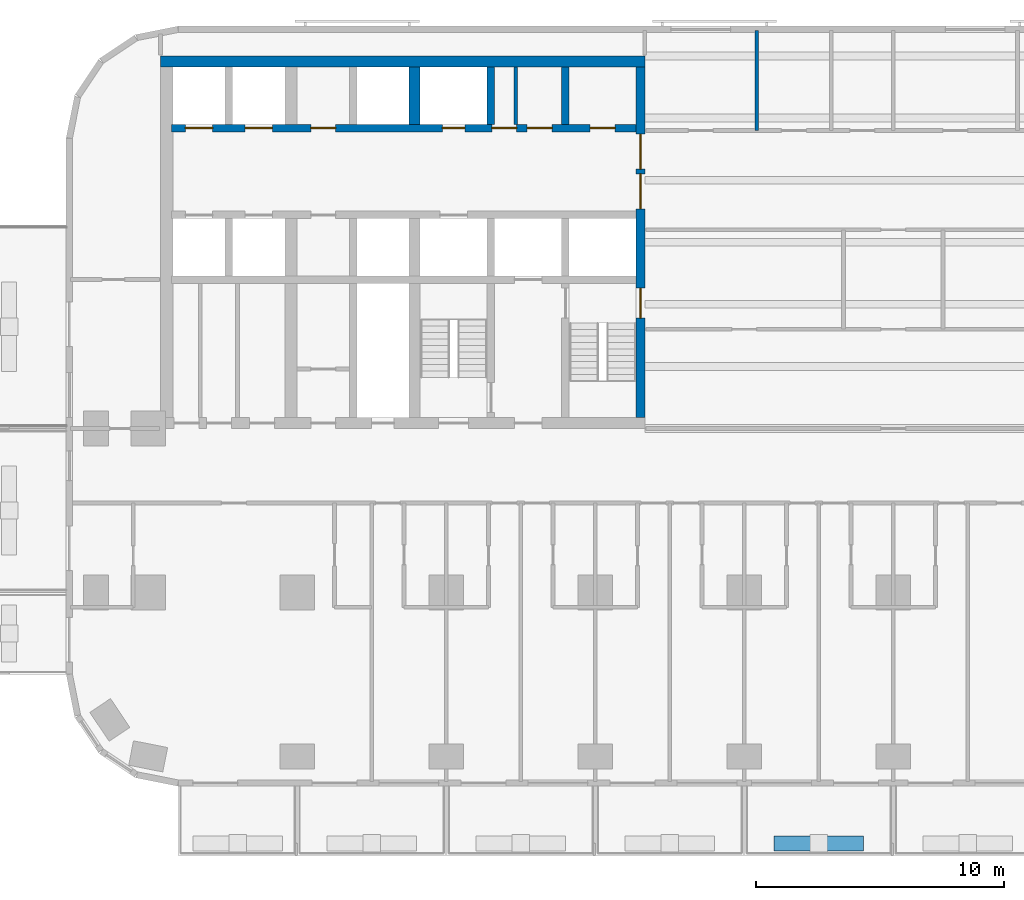
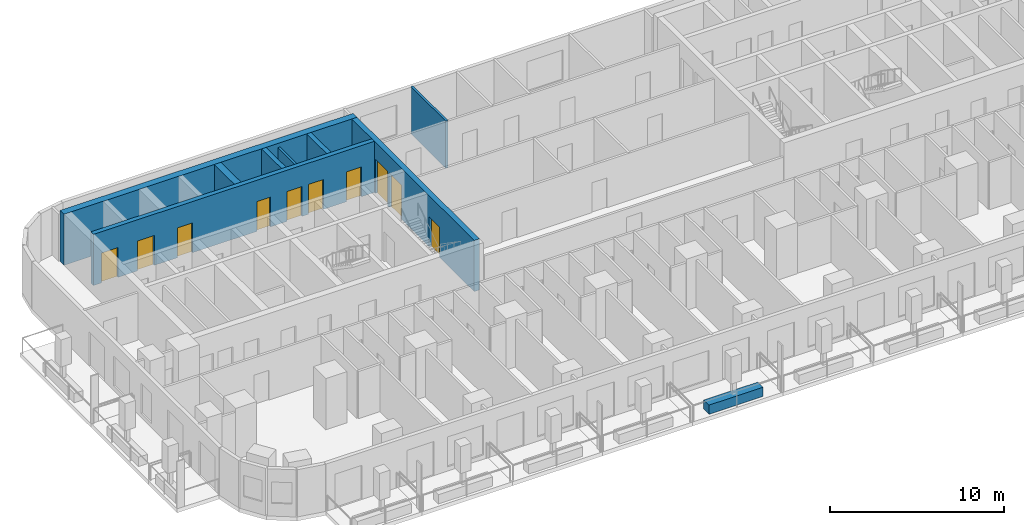
# One storey, part 4 of 15: 10 doors, 9 walls, 10 openings.
"""IFC4 building model written with IfcOpenShell, lengths in metres."""

from ifc_helpers import new_model, si_unit, direction, frame, frame_2d, origin, place, context, subcontext, project, spatial, rectangle, extrude, material, layer, layer_set, type_object, element, fill, save


model = new_model("IFC4")

# Units and contexts
model_context = context("Model", 3, precision=1e-05, world=origin(), true_north=direction((0.0, 1.0)))
body_context = subcontext(model_context, "Body", "Model", "MODEL_VIEW")
ifc_project = project(units=[si_unit("LENGTHUNIT", "METRE"), si_unit("AREAUNIT", "SQUARE_METRE"), si_unit("VOLUMEUNIT", "CUBIC_METRE"), si_unit("PLANEANGLEUNIT", "RADIAN"), si_unit("MASSUNIT", "GRAM", prefix="KILO")], contexts=[model_context])

# Site, building, storey
site_placement = place(None, origin())
site = spatial("IfcSite", under=ifc_project, at=site_placement, CompositionType="ELEMENT")
building_placement = place(site_placement, origin())
building = spatial("IfcBuilding", under=site, at=building_placement, Name="Torana Hotel and Residences", CompositionType="ELEMENT")
storey_placement = place(building_placement, frame((0.0, 0.0, 42.0)))
storey = spatial("IfcBuildingStorey", under=building, at=storey_placement, Name="L09", CompositionType="ELEMENT", Elevation=42.0)

# Wall, openings, doors
ifc_material_1 = material(Name="Concrete C80/95", Category="concrete")
ifc_layer_1 = layer(ifc_material_1, 0.300048828125)
ifc_layer_set_1 = layer_set([ifc_layer_1], Name="CORE WALL 300 C80/95")
wall_type_1 = type_object("IfcWallType", Name="CORE WALL 300 C80/95", PredefinedType="SHEAR", material=ifc_layer_set_1)
wall_1_placement = place(storey_placement, frame((-29.050048828125, -2.89990234375, 0.0), z_axis=(0.0, 0.0, 1.0), x_axis=(1.0, 0.0, 0.0)))
wall_1 = element("IfcWall", 1, at=wall_1_placement, inside=storey, type_object=wall_type_1, Name="Core wall W row-N", PredefinedType="SHEAR", context=body_context, shape_type="SweptSolid", body=[
    extrude(rectangle(XDim=18.699951171875, YDim=0.300048828125, at=frame_2d((9.35009765625, 0.0))), origin(), (0.0, 0.0, 1.0), 3.60009765625),
])
opening_1_placement = place(wall_1_placement, frame((2.949951171875, 0.0, 0.0)))
opening_1 = element("IfcOpeningElement", 2, at=opening_1_placement, cuts=wall_1, Name="Opening LD", PredefinedType="OPENING", context=body_context, shape_type="SweptSolid", body=[
    extrude(rectangle(XDim=1.10009765625, YDim=2.10009765625, at=frame_2d((0.550048828125, 1.050048828125))), frame((0.0, 0.159912109375, 0.0), z_axis=(0.0, -1.0, 0.0), x_axis=(1.0, 0.0, 0.0)), (0.0, 0.0, 1.0), 0.320068359375),
])
opening_2_placement = place(wall_1_placement, frame((0.550048828125, 0.0, 0.0)))
opening_2 = element("IfcOpeningElement", 3, at=opening_2_placement, cuts=wall_1, Name="Opening LD", PredefinedType="OPENING", context=body_context, shape_type="SweptSolid", body=[
    extrude(rectangle(XDim=1.10009765625, YDim=2.10009765625, at=frame_2d((0.550048828125, 1.050048828125))), frame((0.0, 0.159912109375, 0.0), z_axis=(0.0, -1.0, 0.0), x_axis=(1.0, 0.0, 0.0)), (0.0, 0.0, 1.0), 0.320068359375),
])
opening_3_placement = place(wall_1_placement, frame((10.89990234375, 0.0, 0.0)))
opening_3 = element("IfcOpeningElement", 4, at=opening_3_placement, cuts=wall_1, Name="Opening L09-11", PredefinedType="OPENING", context=body_context, shape_type="SweptSolid", body=[
    extrude(rectangle(XDim=0.89990234375, YDim=2.10009765625, at=frame_2d((0.449951171875, 1.050048828125))), frame((0.0, 0.159912109375, 0.0), z_axis=(0.0, -1.0, 0.0), x_axis=(1.0, 0.0, 0.0)), (0.0, 0.0, 1.0), 0.320068359375),
])
opening_4_placement = place(wall_1_placement, frame((16.85009765625, 0.0, 0.0)))
opening_4 = element("IfcOpeningElement", 5, at=opening_4_placement, cuts=wall_1, Name="Opening L09-12", PredefinedType="OPENING", context=body_context, shape_type="SweptSolid", body=[
    extrude(rectangle(XDim=1.0, YDim=2.10009765625, at=frame_2d((0.5, 1.050048828125))), frame((0.0, 0.159912109375, 0.0), z_axis=(0.0, -1.0, 0.0), x_axis=(1.0, 0.0, 0.0)), (0.0, 0.0, 1.0), 0.320068359375),
])
opening_5_placement = place(wall_1_placement, frame((14.3125, 0.0, 0.0)))
opening_5 = element("IfcOpeningElement", 6, at=opening_5_placement, cuts=wall_1, Name="Opening L09-13", PredefinedType="OPENING", context=body_context, shape_type="SweptSolid", body=[
    extrude(rectangle(XDim=1.0, YDim=2.10009765625, at=frame_2d((0.5, 1.050048828125))), frame((0.0, 0.159912109375, 0.0), z_axis=(0.0, -1.0, 0.0), x_axis=(1.0, 0.0, 0.0)), (0.0, 0.0, 1.0), 0.320068359375),
])
opening_6_placement = place(wall_1_placement, frame((12.887451171875, 0.0, 0.0)))
opening_6 = element("IfcOpeningElement", 7, at=opening_6_placement, cuts=wall_1, Name="Opening L09-14", PredefinedType="OPENING", context=body_context, shape_type="SweptSolid", body=[
    extrude(rectangle(XDim=1.0, YDim=2.10009765625, at=frame_2d((0.5, 1.050048828125))), frame((0.0, 0.159912109375, 0.0), z_axis=(0.0, -1.0, 0.0), x_axis=(1.0, 0.0, 0.0)), (0.0, 0.0, 1.0), 0.320068359375),
])
opening_7_placement = place(wall_1_placement, frame((5.60009765625, 0.0, 0.0)))
opening_7 = element("IfcOpeningElement", 8, at=opening_7_placement, cuts=wall_1, Name="Opening L09-15", PredefinedType="OPENING", context=body_context, shape_type="SweptSolid", body=[
    extrude(rectangle(XDim=1.0, YDim=2.10009765625, at=frame_2d((0.5, 1.050048828125))), frame((0.0, 0.159912109375, 0.0), z_axis=(0.0, -1.0, 0.0), x_axis=(1.0, 0.0, 0.0)), (0.0, 0.0, 1.0), 0.320068359375),
])
ifc_material_2 = material(Name="Steel S235", Category="steel")
door_type_1 = type_object("IfcDoorType", Name="CORE ROOM FIRE DOOR D14 1000x2100", OperationType="SINGLE_SWING_LEFT", PredefinedType="DOOR", material=ifc_material_2)
door_1_placement = place(opening_4_placement, origin())
door_1 = element("IfcDoor", 9, at=door_1_placement, inside=storey, type_object=door_type_1, Name="N0 door L09", OperationType="SINGLE_SWING_RIGHT", OverallHeight=2.10009765625, OverallWidth=1.0, PredefinedType="DOOR", context=body_context, shape_type="SweptSolid", body=[
    extrude(rectangle(XDim=1.0, YDim=2.10009765625, at=frame_2d((0.5, 1.050048828125))), frame((0.0, 0.02490234375, 0.0), z_axis=(0.0, -1.0, 0.0), x_axis=(1.0, 0.0, 0.0)), (0.0, 0.0, 1.0), 0.050048828125),
])
fill(opening_4, door_1)
door_2_placement = place(opening_5_placement, origin())
door_2 = element("IfcDoor", 10, at=door_2_placement, inside=storey, type_object=door_type_1, Name="N1A door L09", OperationType="SINGLE_SWING_RIGHT", OverallHeight=2.10009765625, OverallWidth=1.0, PredefinedType="DOOR", context=body_context, shape_type="SweptSolid", body=[
    extrude(rectangle(XDim=1.0, YDim=2.10009765625, at=frame_2d((0.5, 1.050048828125))), frame((0.0, 0.02490234375, 0.0), z_axis=(0.0, -1.0, 0.0), x_axis=(1.0, 0.0, 0.0)), (0.0, 0.0, 1.0), 0.050048828125),
])
fill(opening_5, door_2)
door_3_placement = place(opening_6_placement, origin())
door_3 = element("IfcDoor", 11, at=door_3_placement, inside=storey, type_object=door_type_1, Name="N1B door L09", OperationType="SINGLE_SWING_RIGHT", OverallHeight=2.10009765625, OverallWidth=1.0, PredefinedType="DOOR", context=body_context, shape_type="SweptSolid", body=[
    extrude(rectangle(XDim=1.0, YDim=2.10009765625, at=frame_2d((0.5, 1.050048828125))), frame((0.0, 0.02490234375, 0.0), z_axis=(0.0, -1.0, 0.0), x_axis=(1.0, 0.0, 0.0)), (0.0, 0.0, 1.0), 0.050048828125),
])
fill(opening_6, door_3)
door_4_placement = place(opening_7_placement, origin())
door_4 = element("IfcDoor", 12, at=door_4_placement, inside=storey, type_object=door_type_1, Name="Free-M1 door L09", OperationType="SINGLE_SWING_RIGHT", OverallHeight=2.10009765625, OverallWidth=1.0, PredefinedType="DOOR", context=body_context, shape_type="SweptSolid", body=[
    extrude(rectangle(XDim=1.0, YDim=2.10009765625, at=frame_2d((0.5, 1.050048828125))), frame((0.0, 0.02490234375, 0.0), z_axis=(0.0, -1.0, 0.0), x_axis=(1.0, 0.0, 0.0)), (0.0, 0.0, 1.0), 0.050048828125),
])
fill(opening_7, door_4)
ifc_material_3 = material(Name="Stainless steel 316", Category="steel")
door_type_2 = type_object("IfcDoorType", Name="LIFT LANDING DOOR LD 1100x2100", OperationType="DOUBLE_DOOR_SLIDING", PredefinedType="USERDEFINED", material=ifc_material_3)
door_5_placement = place(opening_1_placement, origin())
door_5 = element("IfcDoor", 13, at=door_5_placement, inside=storey, type_object=door_type_2, Name="Lift landing door L1 L09", ObjectType="LIFT LANDING DOOR", OperationType="DOUBLE_DOOR_SLIDING", OverallHeight=2.10009765625, OverallWidth=1.10009765625, PredefinedType="USERDEFINED", context=body_context, shape_type="SweptSolid", body=[
    extrude(rectangle(XDim=1.10009765625, YDim=2.10009765625, at=frame_2d((0.550048828125, 1.050048828125))), frame((0.0, 0.02490234375, 0.0), z_axis=(0.0, -1.0, 0.0), x_axis=(1.0, 0.0, 0.0)), (0.0, 0.0, 1.0), 0.050048828125),
])
fill(opening_1, door_5)
door_6_placement = place(opening_2_placement, origin())
door_6 = element("IfcDoor", 14, at=door_6_placement, inside=storey, type_object=door_type_2, Name="Lift landing door L2 L09", ObjectType="LIFT LANDING DOOR", OperationType="DOUBLE_DOOR_SLIDING", OverallHeight=2.10009765625, OverallWidth=1.10009765625, PredefinedType="USERDEFINED", context=body_context, shape_type="SweptSolid", body=[
    extrude(rectangle(XDim=1.10009765625, YDim=2.10009765625, at=frame_2d((0.550048828125, 1.050048828125))), frame((0.0, 0.02490234375, 0.0), z_axis=(0.0, -1.0, 0.0), x_axis=(1.0, 0.0, 0.0)), (0.0, 0.0, 1.0), 0.050048828125),
])
fill(opening_2, door_6)
ifc_material_4 = material(Name="Steel S235", Category="steel")
door_type_3 = type_object("IfcDoorType", Name="RISER ACCESS DOOR D5 900x2100", OperationType="SINGLE_SWING_LEFT", PredefinedType="DOOR", material=ifc_material_4)
door_7_placement = place(opening_3_placement, origin())
door_7 = element("IfcDoor", 15, at=door_7_placement, inside=storey, type_object=door_type_3, Name="N2 door L09", OperationType="SINGLE_SWING_RIGHT", OverallHeight=2.10009765625, OverallWidth=0.89990234375, PredefinedType="DOOR", context=body_context, shape_type="SweptSolid", body=[
    extrude(rectangle(XDim=0.89990234375, YDim=2.10009765625, at=frame_2d((0.449951171875, 1.050048828125))), frame((0.0, 0.02490234375, 0.0), z_axis=(0.0, -1.0, 0.0), x_axis=(1.0, 0.0, 0.0)), (0.0, 0.0, 1.0), 0.050048828125),
])
fill(opening_3, door_7)

# Walls
for number, where, z_axis, x_axis, name in (
    (16, (-13.199951171875, -2.75, 0.0), (0.0, 0.0, 1.0), (0.0, 1.0, 0.0), "Core wall W x3.05-N"),
    (17, (-16.199951171875, -2.75, 0.0), (0.0, 0.0, 1.0), (0.0, 1.0, 0.0), "Core wall W x6.05-N"),
):
    element("IfcWall", number, at=place(storey_placement, frame(where, z_axis=z_axis, x_axis=x_axis)), inside=storey, type_object=wall_type_1, Name=name, PredefinedType="SHEAR", context=body_context, shape_type="SweptSolid", body=[
        extrude(rectangle(XDim=2.300048828125, YDim=0.300048828125, at=frame_2d((1.14990234375, 0.0))), origin(), (0.0, 0.0, 1.0), 3.60009765625),
    ])

# Wall, openings, doors
ifc_material_5 = material(Name="Concrete C80/95", Category="concrete")
ifc_layer_2 = layer(ifc_material_5, 0.35009765625)
ifc_layer_set_2 = layer_set([ifc_layer_2], Name="CORE WALL 350 C80/95")
wall_type_2 = type_object("IfcWallType", Name="CORE WALL 350 C80/95", PredefinedType="SHEAR", material=ifc_layer_set_2)
wall_2_placement = place(storey_placement, frame((-10.175048828125, -14.550048828125, 0.0), z_axis=(0.0, 0.0, 1.0), x_axis=(0.0, 1.0, 0.0)))
wall_2 = element("IfcWall", 18, at=wall_2_placement, inside=storey, type_object=wall_type_2, Name="Core wall W arch", PredefinedType="SHEAR", context=body_context, shape_type="SweptSolid", body=[
    extrude(rectangle(XDim=14.10009765625, YDim=0.35009765625, at=frame_2d((7.050048828125, 0.0))), origin(), (0.0, 0.0, 1.0), 3.60009765625),
])
opening_8_placement = place(wall_2_placement, frame((8.39990234375, 0.0, 0.0)))
opening_8 = element("IfcOpeningElement", 19, at=opening_8_placement, cuts=wall_2, Name="Opening L09-01", PredefinedType="OPENING", context=body_context, shape_type="SweptSolid", body=[
    extrude(rectangle(XDim=1.39990234375, YDim=2.39990234375, at=frame_2d((0.699951171875, 1.199951171875))), frame((0.0, 0.18505859375, 0.0), z_axis=(0.0, -1.0, 0.0), x_axis=(1.0, 0.0, 0.0)), (0.0, 0.0, 1.0), 0.3701171875),
])
opening_9_placement = place(wall_2_placement, frame((10.0, 0.0, 0.0)))
opening_9 = element("IfcOpeningElement", 20, at=opening_9_placement, cuts=wall_2, Name="Opening L09-02", PredefinedType="OPENING", context=body_context, shape_type="SweptSolid", body=[
    extrude(rectangle(XDim=1.39990234375, YDim=2.39990234375, at=frame_2d((0.699951171875, 1.199951171875))), frame((0.0, 0.18505859375, 0.0), z_axis=(0.0, -1.0, 0.0), x_axis=(1.0, 0.0, 0.0)), (0.0, 0.0, 1.0), 0.3701171875),
])
opening_10_placement = place(wall_2_placement, frame((4.0, 0.0, 0.0)))
opening_10 = element("IfcOpeningElement", 21, at=opening_10_placement, cuts=wall_2, Name="Opening L09-03", PredefinedType="OPENING", context=body_context, shape_type="SweptSolid", body=[
    extrude(rectangle(XDim=1.199951171875, YDim=2.10009765625, at=frame_2d((0.60009765625, 1.050048828125))), frame((0.0, 0.18505859375, 0.0), z_axis=(0.0, -1.0, 0.0), x_axis=(1.0, 0.0, 0.0)), (0.0, 0.0, 1.0), 0.3701171875),
])
ifc_material_6 = material(Name="Steel S235", Category="steel")
door_type_4 = type_object("IfcDoorType", Name="LOBBY FIRE DOOR D4 1400x2400", OperationType="DOUBLE_DOOR_SINGLE_SWING", PredefinedType="DOOR", material=ifc_material_6)
door_8_placement = place(opening_8_placement, origin())
door_8 = element("IfcDoor", 22, at=door_8_placement, inside=storey, type_object=door_type_4, Name="Lobby-1 door L09", OperationType="DOUBLE_DOOR_SINGLE_SWING", OverallHeight=2.39990234375, OverallWidth=1.39990234375, PredefinedType="DOOR", context=body_context, shape_type="SweptSolid", body=[
    extrude(rectangle(XDim=1.39990234375, YDim=2.39990234375, at=frame_2d((0.699951171875, 1.199951171875))), frame((0.0, 0.02490234375, 0.0), z_axis=(0.0, -1.0, 0.0), x_axis=(1.0, 0.0, 0.0)), (0.0, 0.0, 1.0), 0.050048828125),
])
fill(opening_8, door_8)
door_9_placement = place(opening_9_placement, origin())
door_9 = element("IfcDoor", 23, at=door_9_placement, inside=storey, type_object=door_type_4, Name="Lobby-2 door L09", OperationType="DOUBLE_DOOR_SINGLE_SWING", OverallHeight=2.39990234375, OverallWidth=1.39990234375, PredefinedType="DOOR", context=body_context, shape_type="SweptSolid", body=[
    extrude(rectangle(XDim=1.39990234375, YDim=2.39990234375, at=frame_2d((0.699951171875, 1.199951171875))), frame((0.0, 0.02490234375, 0.0), z_axis=(0.0, -1.0, 0.0), x_axis=(1.0, 0.0, 0.0)), (0.0, 0.0, 1.0), 0.050048828125),
])
fill(opening_9, door_9)
ifc_material_7 = material(Name="Steel S235", Category="steel")
door_type_5 = type_object("IfcDoorType", Name="STAIR FIRE DOOR D3 1200x2100", OperationType="SINGLE_SWING_LEFT", PredefinedType="DOOR", material=ifc_material_7)
door_10_placement = place(opening_10_placement, origin())
door_10 = element("IfcDoor", 24, at=door_10_placement, inside=storey, type_object=door_type_5, Name="Stair-A door L09", OperationType="SINGLE_SWING_LEFT", OverallHeight=2.10009765625, OverallWidth=1.199951171875, PredefinedType="DOOR", context=body_context, shape_type="SweptSolid", body=[
    extrude(rectangle(XDim=1.199951171875, YDim=2.10009765625, at=frame_2d((0.60009765625, 1.050048828125))), frame((0.0, 0.02490234375, 0.0), z_axis=(0.0, -1.0, 0.0), x_axis=(1.0, 0.0, 0.0)), (0.0, 0.0, 1.0), 0.050048828125),
])
fill(opening_10, door_10)

# Walls
ifc_material_8 = material(Name="Concrete C80/95", Category="concrete")
ifc_layer_3 = layer(ifc_material_8, 0.449951171875)
ifc_layer_set_3 = layer_set([ifc_layer_3], Name="CORE WALL 450 C80/95")
wall_type_3 = type_object("IfcWallType", Name="CORE WALL 450 C80/95", PredefinedType="SHEAR", material=ifc_layer_set_3)
wall_3_placement = place(storey_placement, frame((-29.5, -0.22509765625, 0.0), z_axis=(0.0, 0.0, 1.0), x_axis=(1.0, 0.0, 0.0)))
element("IfcWall", 25, at=wall_3_placement, inside=storey, type_object=wall_type_3, Name="Core wall W rear", PredefinedType="SHEAR", context=body_context, shape_type="SweptSolid", body=[
    extrude(rectangle(XDim=19.5, YDim=0.449951171875, at=frame_2d((9.75, 0.0))), origin(), (0.0, 0.0, 1.0), 3.60009765625),
])
wall_4_placement = place(storey_placement, frame((-19.27490234375, -2.75, 0.0), z_axis=(0.0, 0.0, 1.0), x_axis=(0.0, 1.0, 0.0)))
element("IfcWall", 26, at=wall_4_placement, inside=storey, type_object=wall_type_3, Name="Core wall W hm-N", PredefinedType="SHEAR", context=body_context, shape_type="SweptSolid", body=[
    extrude(rectangle(XDim=2.300048828125, YDim=0.449951171875, at=frame_2d((1.14990234375, 0.0))), origin(), (0.0, 0.0, 1.0), 3.60009765625),
])
ifc_material_9 = material(Name="Gypsum plaster")
ifc_layer_4 = layer(ifc_material_9, 0.014892578125, Name="Plaster", Category="finish")
ifc_material_10 = material(Name="Concrete blockwork", Category="masonry")
ifc_layer_5 = layer(ifc_material_10, 0.1201171875, Name="Blockwork", Category="structure")
ifc_layer_6 = layer(ifc_material_9, 0.014892578125, Name="Plaster", Category="finish")
ifc_layer_set_4 = layer_set([ifc_layer_4, ifc_layer_5, ifc_layer_6], Name="FIRE PARTITION 150 BLOCKWORK")
wall_type_4 = type_object("IfcWallType", Name="FIRE PARTITION 150 BLOCKWORK", PredefinedType="PARTITIONING", material=ifc_layer_set_4)
wall_5_placement = place(storey_placement, frame((-15.199951171875, -2.75, 0.0), z_axis=(0.0, 0.0, 1.0), x_axis=(0.0, 1.0, 0.0)))
element("IfcWall", 27, at=wall_5_placement, inside=storey, type_object=wall_type_4, Name="Core partition L09", PredefinedType="PARTITIONING", context=body_context, shape_type="SweptSolid", body=[
    extrude(rectangle(XDim=2.300048828125, YDim=0.14990234375, at=frame_2d((1.14990234375, 0.0))), origin(), (0.0, 0.0, 1.0), 3.300048828125),
])
ifc_material_11 = material(Name="Concrete C40/50 precast", Category="concrete")
ifc_layer_7 = layer(ifc_material_11, 0.10009765625, Name="Planter shell", Category="structure")
ifc_material_12 = material(Name="Root resistant membrane")
ifc_layer_8 = layer(ifc_material_12, 0.00390625, Name="Waterproofing membrane", Category="membrane")
ifc_material_13 = material(Name="Drainage board with filter fleece")
ifc_layer_9 = layer(ifc_material_13, 0.02001953125, Name="Drainage board", Category="drainage")
ifc_material_14 = material(Name="Growing medium")
ifc_layer_10 = layer(ifc_material_14, 0.47607421875, Name="Planting substrate", Category="soil")
ifc_layer_set_5 = layer_set([ifc_layer_7, ifc_layer_8, ifc_layer_9, ifc_layer_10], Name="PL1 BALCONY PLANTER 600")
wall_type_5 = type_object("IfcWallType", Name="PL1 BALCONY PLANTER 600", PredefinedType="USERDEFINED", material=ifc_layer_set_5)
wall_6_placement = place(storey_placement, frame((-1.199951171875, -31.699951171875, 0.0), z_axis=(0.0, 0.0, 1.0), x_axis=(-1.0, 0.0, 0.0)))
element("IfcWall", 28, at=wall_6_placement, inside=storey, type_object=wall_type_5, Name="Planter 05", ObjectType="PLANTER", PredefinedType="USERDEFINED", context=body_context, shape_type="SweptSolid", body=[
    extrude(rectangle(XDim=3.60009765625, YDim=0.60009765625, at=frame_2d((1.800048828125, 0.0))), origin(), (0.0, 0.0, 1.0), 0.64990234375),
])
ifc_material_15 = material(Name="Ceramic tile on adhesive")
ifc_layer_11 = layer(ifc_material_15, 0.010009765625, Name="Wall tile", Category="finish")
ifc_material_16 = material(Name="Cement render")
ifc_layer_12 = layer(ifc_material_16, 0.010009765625, Name="Render", Category="finish")
ifc_layer_13 = layer(ifc_material_10, 0.110107421875, Name="Blockwork", Category="structure")
ifc_layer_14 = layer(ifc_material_16, 0.010009765625, Name="Render", Category="finish")
ifc_layer_15 = layer(ifc_material_15, 0.010009765625, Name="Wall tile", Category="finish")
ifc_layer_set_6 = layer_set([ifc_layer_11, ifc_layer_12, ifc_layer_13, ifc_layer_14, ifc_layer_15], Name="WC PARTITION 150")
wall_type_6 = type_object("IfcWallType", Name="WC PARTITION 150", PredefinedType="PLUMBINGWALL", material=ifc_layer_set_6)
wall_7_placement = place(storey_placement, frame((-5.5, -3.0, 0.0), z_axis=(0.0, 0.0, 1.0), x_axis=(0.0, 1.0, 0.0)))
element("IfcWall", 29, at=wall_7_placement, inside=storey, type_object=wall_type_6, Name="Partition L09", PredefinedType="PLUMBINGWALL", context=body_context, shape_type="SweptSolid", body=[
    extrude(rectangle(XDim=4.02001953125, YDim=0.14990234375, at=frame_2d((2.010009765625, 0.0))), origin(), (0.0, 0.0, 1.0), 3.320068359375),
])

save(model, "model.ifc")
